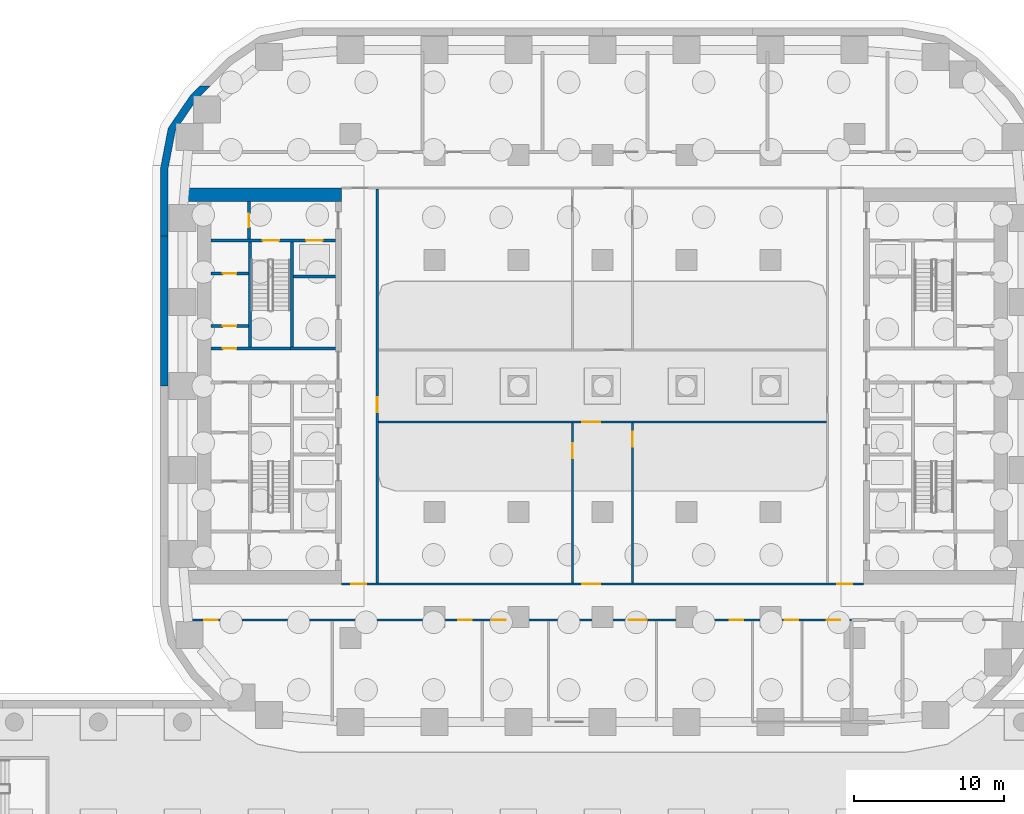
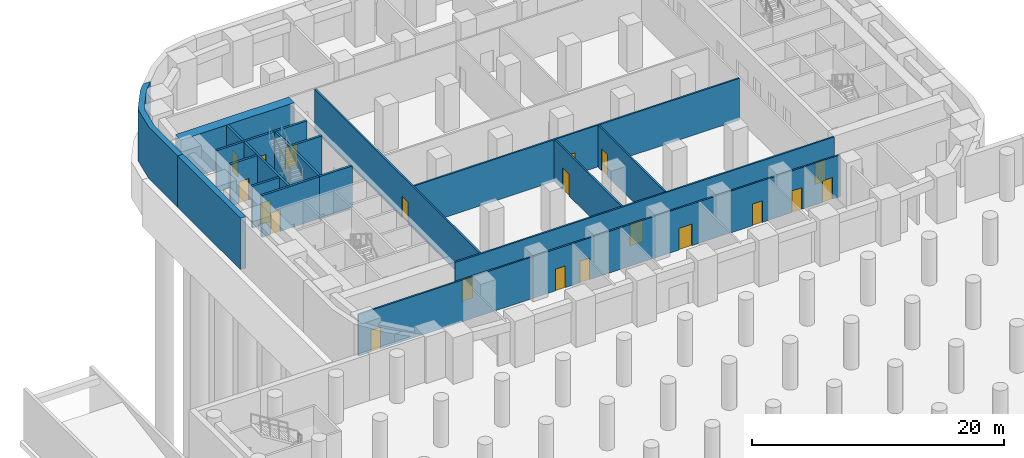
# One storey, part 11 of 23: 20 doors, 18 walls, 20 openings.
"""IFC4 building model written with IfcOpenShell, lengths in metres."""

from ifc_helpers import new_model, si_unit, direction, frame, frame_2d, origin, place, context, subcontext, project, spatial, polyline, rectangle, outline, extrude, material, layer, layer_set, type_object, element, fill, save


model = new_model("IFC4")

# Units and contexts
model_context = context("Model", 3, precision=1e-05, world=origin(), true_north=direction((0.0, 1.0)))
body_context = subcontext(model_context, "Body", "Model", "MODEL_VIEW")
ifc_project = project(units=[si_unit("LENGTHUNIT", "METRE"), si_unit("AREAUNIT", "SQUARE_METRE"), si_unit("VOLUMEUNIT", "CUBIC_METRE"), si_unit("PLANEANGLEUNIT", "RADIAN"), si_unit("MASSUNIT", "GRAM", prefix="KILO")], contexts=[model_context])

# Site, building, storey
site_placement = place(None, origin())
site = spatial("IfcSite", under=ifc_project, at=site_placement, CompositionType="ELEMENT")
building_placement = place(site_placement, origin())
building = spatial("IfcBuilding", under=site, at=building_placement, Name="Kiln Ring Residences", CompositionType="ELEMENT")
storey_placement = place(building_placement, frame((0.0, 0.0, -4.5)))
storey = spatial("IfcBuildingStorey", under=building, at=storey_placement, Name="B1", CompositionType="ELEMENT", Elevation=-4.5)

# Walls
ifc_material_1 = material(Name="Concrete C50/60", Category="concrete")
ifc_layer_1 = layer(ifc_material_1, 0.5)
ifc_layer_set_1 = layer_set([ifc_layer_1], Name="Basement retaining wall 500 C50/60")
wall_type_1 = type_object("IfcWallType", Name="Basement retaining wall 500 C50/60", PredefinedType="SOLIDWALL", material=ifc_layer_set_1)
placement = place(storey_placement, frame((0.0, 0.0, -0.5)))
element("IfcWall", 1, at=placement, inside=storey, type_object=wall_type_1, Name="Basement retaining wall B1 14", PredefinedType="SOLIDWALL", context=body_context, shape_type="SweptSolid", body=[
    extrude(outline(polyline([(-29.449951171875, 0.0), (-28.949951171875, 0.0), (-28.949951171875, 10.0), (-29.449951171875, 10.0), (-29.449951171875, 0.0)])), origin(), (0.0, 0.0, 1.0), 5.0),
])
element("IfcWall", 2, at=placement, inside=storey, type_object=wall_type_1, Name="Basement retaining wall B1 15", PredefinedType="SOLIDWALL", context=body_context, shape_type="SweptSolid", body=[
    extrude(outline(polyline([(-29.449951171875, 10.0), (-28.949951171875, 10.0), (-28.949951171875, 14.48974609375), (-28.47216796875, 16.99560546875), (-27.0380859375, 19.105224609375), (-26.1435546875, 20.0), (-26.8505859375, 20.0), (-27.425048828125, 19.425537109375), (-28.94384765625, 17.19091796875), (-29.449951171875, 14.537109375), (-29.449951171875, 10.0)])), origin(), (0.0, 0.0, 1.0), 5.0),
])

# Wall, opening, door
ifc_material_2 = material(Name="Gypsum board on steel studs", Category="steel")
ifc_layer_2 = layer(ifc_material_2, 0.199951171875)
ifc_layer_set_2 = layer_set([ifc_layer_2], Name="CORE-PARTITION-200")
wall_type_2 = type_object("IfcWallType", Name="CORE-PARTITION-200", PredefinedType="PARTITIONING", material=ifc_layer_set_2)
wall_3_placement = place(storey_placement, frame((-23.550048828125, 9.800048828125, 0.0), z_axis=(0.0, 0.0, 1.0), x_axis=(0.0, 1.0, 0.0)))
wall_3 = element("IfcWall", 3, at=wall_3_placement, inside=storey, type_object=wall_type_2, Name="Core partition west B1 3", PredefinedType="PARTITIONING", context=body_context, shape_type="SweptSolid", body=[
    extrude(rectangle(XDim=2.5, YDim=0.199951171875, at=frame_2d((1.25, 0.0))), origin(), (0.0, 0.0, 1.0), 4.050048828125),
])
opening_1_placement = place(wall_3_placement, frame((0.800048828125, 0.0, 0.0)))
opening_1 = element("IfcOpeningElement", 4, at=opening_1_placement, cuts=wall_3, Name="Opening B1-CW09", PredefinedType="OPENING", context=body_context, shape_type="SweptSolid", body=[
    extrude(rectangle(XDim=0.89990234375, YDim=2.10009765625, at=frame_2d((0.449951171875, 1.050048828125))), frame((0.0, 0.10986328125, 0.0), z_axis=(0.0, -1.0, 0.0), x_axis=(1.0, 0.0, 0.0)), (0.0, 0.0, 1.0), 0.219970703125),
])
ifc_material_3 = material(Name="Steel door leaf", Category="steel")
door_type_1 = type_object("IfcDoorType", Name="CORE-DOOR-ROOM", OperationType="SINGLE_SWING_LEFT", PredefinedType="DOOR", material=ifc_material_3)
door_1_placement = place(opening_1_placement, origin())
door_1 = element("IfcDoor", 5, at=door_1_placement, inside=storey, type_object=door_type_1, Name="Fire riser room B1-CW09", OperationType="SINGLE_SWING_LEFT", OverallHeight=2.10009765625, OverallWidth=0.89990234375, PredefinedType="DOOR", context=body_context, shape_type="SweptSolid", body=[
    extrude(rectangle(XDim=0.89990234375, YDim=2.10009765625, at=frame_2d((0.449951171875, 1.050048828125))), frame((0.0, 0.02490234375, 0.0), z_axis=(0.0, -1.0, 0.0), x_axis=(1.0, 0.0, 0.0)), (0.0, 0.0, 1.0), 0.050048828125),
])
fill(opening_1, door_1)

wall_4_placement = place(storey_placement, frame((-23.60009765625, 4.0, 0.0), z_axis=(0.0, 0.0, 1.0), x_axis=(-1.0, 0.0, 0.0)))
wall_4 = element("IfcWall", 6, at=wall_4_placement, inside=storey, type_object=wall_type_2, Name="Core partition west B1 7", PredefinedType="PARTITIONING", context=body_context, shape_type="SweptSolid", body=[
    extrude(rectangle(XDim=2.5, YDim=0.199951171875, at=frame_2d((1.25, 0.0))), origin(), (0.0, 0.0, 1.0), 4.050048828125),
])
opening_2_placement = place(wall_4_placement, frame((0.800048828125, 0.0, 0.0)))
opening_2 = element("IfcOpeningElement", 7, at=opening_2_placement, cuts=wall_4, Name="Opening B1-CW18", PredefinedType="OPENING", context=body_context, shape_type="SweptSolid", body=[
    extrude(rectangle(XDim=0.89990234375, YDim=2.10009765625, at=frame_2d((0.449951171875, 1.050048828125))), frame((0.0, 0.10986328125, 0.0), z_axis=(0.0, -1.0, 0.0), x_axis=(1.0, 0.0, 0.0)), (0.0, 0.0, 1.0), 0.219970703125),
])
door_2_placement = place(opening_2_placement, origin())
door_2 = element("IfcDoor", 8, at=door_2_placement, inside=storey, type_object=door_type_1, Name="Electrical plant room B1-CW18", OperationType="SINGLE_SWING_LEFT", OverallHeight=2.10009765625, OverallWidth=0.89990234375, PredefinedType="DOOR", context=body_context, shape_type="SweptSolid", body=[
    extrude(rectangle(XDim=0.89990234375, YDim=2.10009765625, at=frame_2d((0.449951171875, 1.050048828125))), frame((0.0, 0.02490234375, 0.0), z_axis=(0.0, -1.0, 0.0), x_axis=(1.0, 0.0, 0.0)), (0.0, 0.0, 1.0), 0.050048828125),
])
fill(opening_2, door_2)

wall_5_placement = place(storey_placement, frame((-23.60009765625, 7.5, 0.0), z_axis=(0.0, 0.0, 1.0), x_axis=(-1.0, 0.0, 0.0)))
wall_5 = element("IfcWall", 9, at=wall_5_placement, inside=storey, type_object=wall_type_2, Name="Core partition west B1 8", PredefinedType="PARTITIONING", context=body_context, shape_type="SweptSolid", body=[
    extrude(rectangle(XDim=2.5, YDim=0.199951171875, at=frame_2d((1.25, 0.0))), origin(), (0.0, 0.0, 1.0), 4.050048828125),
])
opening_3_placement = place(wall_5_placement, frame((0.800048828125, 0.0, 0.0)))
opening_3 = element("IfcOpeningElement", 10, at=opening_3_placement, cuts=wall_5, Name="Opening B1-CW19", PredefinedType="OPENING", context=body_context, shape_type="SweptSolid", body=[
    extrude(rectangle(XDim=0.89990234375, YDim=2.10009765625, at=frame_2d((0.449951171875, 1.050048828125))), frame((0.0, 0.10986328125, 0.0), z_axis=(0.0, -1.0, 0.0), x_axis=(1.0, 0.0, 0.0)), (0.0, 0.0, 1.0), 0.219970703125),
])
door_3_placement = place(opening_3_placement, origin())
door_3 = element("IfcDoor", 11, at=door_3_placement, inside=storey, type_object=door_type_1, Name="UPS room B1-CW19", OperationType="SINGLE_SWING_RIGHT", OverallHeight=2.10009765625, OverallWidth=0.89990234375, PredefinedType="DOOR", context=body_context, shape_type="SweptSolid", body=[
    extrude(rectangle(XDim=0.89990234375, YDim=2.10009765625, at=frame_2d((0.449951171875, 1.050048828125))), frame((0.0, 0.02490234375, 0.0), z_axis=(0.0, -1.0, 0.0), x_axis=(1.0, 0.0, 0.0)), (0.0, 0.0, 1.0), 0.050048828125),
])
fill(opening_3, door_3)

# Walls
ifc_material_4 = material(Name="Gypsum shaft wall system")
ifc_layer_3 = layer(ifc_material_4, 0.199951171875)
ifc_layer_set_3 = layer_set([ifc_layer_3], Name="CORE-SHAFT-WALL-200")
wall_type_3 = type_object("IfcWallType", Name="CORE-SHAFT-WALL-200", PredefinedType="PARTITIONING", material=ifc_layer_set_3)
wall_6_placement = place(storey_placement, frame((-17.800048828125, 2.5, 0.0), z_axis=(0.0, 0.0, 1.0), x_axis=(-1.0, 0.0, 0.0)))
element("IfcWall", 12, at=wall_6_placement, inside=storey, type_object=wall_type_3, Name="Core partition west B1 13", PredefinedType="PARTITIONING", context=body_context, shape_type="SweptSolid", body=[
    extrude(rectangle(XDim=3.0, YDim=0.199951171875, at=frame_2d((1.5, 0.0))), origin(), (0.0, 0.0, 1.0), 4.050048828125),
])
wall_7_placement = place(storey_placement, frame((-17.800048828125, 7.300048828125, 0.0), z_axis=(0.0, 0.0, 1.0), x_axis=(-1.0, 0.0, 0.0)))
element("IfcWall", 13, at=wall_7_placement, inside=storey, type_object=wall_type_3, Name="Core partition west B1 14", PredefinedType="PARTITIONING", context=body_context, shape_type="SweptSolid", body=[
    extrude(rectangle(XDim=2.800048828125, YDim=0.199951171875, at=frame_2d((1.39990234375, 0.0))), origin(), (0.0, 0.0, 1.0), 4.050048828125),
])
ifc_material_5 = material(Name="Concrete C40/50", Category="concrete")
ifc_layer_4 = layer(ifc_material_5, 0.199951171875)
ifc_layer_set_4 = layer_set([ifc_layer_4], Name="CORE-WALL-RC200")
wall_type_4 = type_object("IfcWallType", Name="CORE-WALL-RC200", PredefinedType="SHEAR", material=ifc_layer_set_4)
wall_8_placement = place(storey_placement, frame((-20.699951171875, 2.60009765625, 0.0), z_axis=(0.0, 0.0, 1.0), x_axis=(0.0, 1.0, 0.0)))
element("IfcWall", 14, at=wall_8_placement, inside=storey, type_object=wall_type_4, Name="Core wall west B1 1", PredefinedType="SHEAR", context=body_context, shape_type="SweptSolid", body=[
    extrude(rectangle(XDim=7.0, YDim=0.199951171875, at=frame_2d((3.5, 0.0))), origin(), (0.0, 0.0, 1.0), 4.050048828125),
])

# Wall, opening, door
wall_9_placement = place(storey_placement, frame((-20.800048828125, 2.5, 0.0), z_axis=(0.0, 0.0, 1.0), x_axis=(-1.0, 0.0, 0.0)))
wall_9 = element("IfcWall", 15, at=wall_9_placement, inside=storey, type_object=wall_type_4, Name="Core wall west B1 3", PredefinedType="SHEAR", context=body_context, shape_type="SweptSolid", body=[
    extrude(rectangle(XDim=5.300048828125, YDim=0.199951171875, at=frame_2d((2.64990234375, 0.0))), origin(), (0.0, 0.0, 1.0), 4.050048828125),
])
opening_4_placement = place(wall_9_placement, frame((3.60009765625, 0.0, 0.0)))
opening_4 = element("IfcOpeningElement", 16, at=opening_4_placement, cuts=wall_9, Name="Opening B1-CW20", PredefinedType="OPENING", context=body_context, shape_type="SweptSolid", body=[
    extrude(rectangle(XDim=0.89990234375, YDim=2.10009765625, at=frame_2d((0.449951171875, 1.050048828125))), frame((0.0, 0.10986328125, 0.0), z_axis=(0.0, -1.0, 0.0), x_axis=(1.0, 0.0, 0.0)), (0.0, 0.0, 1.0), 0.219970703125),
])
door_4_placement = place(opening_4_placement, origin())
door_4 = element("IfcDoor", 17, at=door_4_placement, inside=storey, type_object=door_type_1, Name="Comms room B1-CW20", OperationType="SINGLE_SWING_LEFT", OverallHeight=2.10009765625, OverallWidth=0.89990234375, PredefinedType="DOOR", context=body_context, shape_type="SweptSolid", body=[
    extrude(rectangle(XDim=0.89990234375, YDim=2.10009765625, at=frame_2d((0.449951171875, 1.050048828125))), frame((0.0, 0.02490234375, 0.0), z_axis=(0.0, -1.0, 0.0), x_axis=(1.0, 0.0, 0.0)), (0.0, 0.0, 1.0), 0.050048828125),
])
fill(opening_4, door_4)

# Wall, openings, doors
wall_10_placement = place(storey_placement, frame((-17.800048828125, 9.699951171875, 0.0), z_axis=(0.0, 0.0, 1.0), x_axis=(-1.0, 0.0, 0.0)))
wall_10 = element("IfcWall", 18, at=wall_10_placement, inside=storey, type_object=wall_type_4, Name="Core wall west B1 9", PredefinedType="SHEAR", context=body_context, shape_type="SweptSolid", body=[
    extrude(rectangle(XDim=8.300048828125, YDim=0.199951171875, at=frame_2d((4.14990234375, 0.0))), origin(), (0.0, 0.0, 1.0), 4.050048828125),
])
opening_5_placement = place(wall_10_placement, frame((0.85009765625, 0.0, 0.0)))
opening_5 = element("IfcOpeningElement", 19, at=opening_5_placement, cuts=wall_10, Name="Opening B1-CW06", PredefinedType="OPENING", context=body_context, shape_type="SweptSolid", body=[
    extrude(rectangle(XDim=1.10009765625, YDim=2.10009765625, at=frame_2d((0.550048828125, 1.050048828125))), frame((0.0, 0.10986328125, 0.0), z_axis=(0.0, -1.0, 0.0), x_axis=(1.0, 0.0, 0.0)), (0.0, 0.0, 1.0), 0.219970703125),
])
opening_6_placement = place(wall_10_placement, frame((3.75, 0.0, 0.0)))
opening_6 = element("IfcOpeningElement", 20, at=opening_6_placement, cuts=wall_10, Name="Opening B1-CW11", PredefinedType="OPENING", context=body_context, shape_type="SweptSolid", body=[
    extrude(rectangle(XDim=1.10009765625, YDim=2.10009765625, at=frame_2d((0.550048828125, 1.050048828125))), frame((0.0, 0.10986328125, 0.0), z_axis=(0.0, -1.0, 0.0), x_axis=(1.0, 0.0, 0.0)), (0.0, 0.0, 1.0), 0.219970703125),
])
ifc_material_6 = material(Name="Steel door leaf", Category="steel")
door_type_2 = type_object("IfcDoorType", Name="CORE-DOOR-LD", OperationType="DOUBLE_DOOR_SLIDING", PredefinedType="DOOR", material=ifc_material_6)
door_5_placement = place(opening_5_placement, origin())
door_5 = element("IfcDoor", 21, at=door_5_placement, inside=storey, type_object=door_type_2, Name="LD W-FF B1-CW06", OperationType="DOUBLE_DOOR_SLIDING", OverallHeight=2.10009765625, OverallWidth=1.10009765625, PredefinedType="DOOR", context=body_context, shape_type="SweptSolid", body=[
    extrude(rectangle(XDim=1.10009765625, YDim=2.10009765625, at=frame_2d((0.550048828125, 1.050048828125))), frame((0.0, 0.02490234375, 0.0), z_axis=(0.0, -1.0, 0.0), x_axis=(1.0, 0.0, 0.0)), (0.0, 0.0, 1.0), 0.050048828125),
])
fill(opening_5, door_5)
ifc_material_7 = material(Name="Steel door leaf", Category="steel")
door_type_3 = type_object("IfcDoorType", Name="CORE-DOOR-STAIR", OperationType="SINGLE_SWING_LEFT", PredefinedType="DOOR", material=ifc_material_7)
door_6_placement = place(opening_6_placement, origin())
door_6 = element("IfcDoor", 22, at=door_6_placement, inside=storey, type_object=door_type_3, Name="Stair W-STN B1-CW11", OperationType="SINGLE_SWING_LEFT", OverallHeight=2.10009765625, OverallWidth=1.10009765625, PredefinedType="DOOR", context=body_context, shape_type="SweptSolid", body=[
    extrude(rectangle(XDim=1.10009765625, YDim=2.10009765625, at=frame_2d((0.550048828125, 1.050048828125))), frame((0.0, 0.02490234375, 0.0), z_axis=(0.0, -1.0, 0.0), x_axis=(1.0, 0.0, 0.0)), (0.0, 0.0, 1.0), 0.050048828125),
])
fill(opening_6, door_6)

# Walls
wall_11_placement = place(storey_placement, frame((-23.5, 2.60009765625, 0.0), z_axis=(0.0, 0.0, 1.0), x_axis=(0.0, 1.0, 0.0)))
element("IfcWall", 23, at=wall_11_placement, inside=storey, type_object=wall_type_4, Name="Core wall west B1 10", PredefinedType="SHEAR", context=body_context, shape_type="SweptSolid", body=[
    extrude(rectangle(XDim=7.0, YDim=0.199951171875, at=frame_2d((3.5, 0.0))), origin(), (0.0, 0.0, 1.0), 4.050048828125),
])
ifc_material_8 = material(Name="Concrete C60/75", Category="concrete")
ifc_layer_5 = layer(ifc_material_8, 0.89990234375)
ifc_layer_set_5 = layer_set([ifc_layer_5], Name="CORE-WALL-RC900")
wall_type_5 = type_object("IfcWallType", Name="CORE-WALL-RC900", PredefinedType="SHEAR", material=ifc_layer_set_5)
wall_12_placement = place(storey_placement, frame((-17.39990234375, 12.75, 0.0), z_axis=(0.0, 0.0, 1.0), x_axis=(-1.0, 0.0, 0.0)))
element("IfcWall", 24, at=wall_12_placement, inside=storey, type_object=wall_type_5, Name="Core wall west B1 4", PredefinedType="SHEAR", context=body_context, shape_type="SweptSolid", body=[
    extrude(rectangle(XDim=10.400146484375, YDim=0.89990234375, at=frame_2d((5.2001953125, 0.0))), origin(), (0.0, 0.0, 1.0), 4.050048828125),
])

# Wall, openings, doors
ifc_material_9 = material(Name="Brick masonry partition", Category="masonry")
ifc_layer_6 = layer(ifc_material_9, 0.14990234375)
ifc_layer_set_6 = layer_set([ifc_layer_6], Name="PARTITION-150-ei60")
wall_type_6 = type_object("IfcWallType", Name="PARTITION-150-ei60", PredefinedType="PARTITIONING", material=ifc_layer_set_6)
wall_13_placement = place(storey_placement, frame((-27.669921875, -15.60009765625, 0.0), z_axis=(0.0, 0.0, 1.0), x_axis=(1.0, 0.0, 0.0)))
wall_13 = element("IfcWall", 25, at=wall_13_placement, inside=storey, type_object=wall_type_6, Name="Partition 007", PredefinedType="PARTITIONING", context=body_context, shape_type="SweptSolid", body=[
    extrude(rectangle(XDim=44.27001953125, YDim=0.14990234375, at=frame_2d((22.135009765625, 0.0))), origin(), (0.0, 0.0, 1.0), 4.050048828125),
])
opening_7_placement = place(wall_13_placement, frame((29.419921875, 0.0, 0.0)))
opening_7 = element("IfcOpeningElement", 26, at=opening_7_placement, cuts=wall_13, Name="Opening B1-D009", PredefinedType="OPENING", context=body_context, shape_type="SweptSolid", body=[
    extrude(rectangle(XDim=1.199951171875, YDim=2.10009765625, at=frame_2d((0.60009765625, 1.050048828125))), frame((0.0, 0.0849609375, 0.0), z_axis=(0.0, -1.0, 0.0), x_axis=(1.0, 0.0, 0.0)), (0.0, 0.0, 1.0), 0.169921875),
])
opening_8_placement = place(wall_13_placement, frame((1.14111328125, 0.0, 0.0)))
opening_8 = element("IfcOpeningElement", 27, at=opening_8_placement, cuts=wall_13, Name="Opening B1-D023", PredefinedType="OPENING", context=body_context, shape_type="SweptSolid", body=[
    extrude(rectangle(XDim=0.89990234375, YDim=2.10009765625, at=frame_2d((0.449951171875, 1.050048828125))), frame((0.0, 0.0849609375, 0.0), z_axis=(0.0, -1.0, 0.0), x_axis=(1.0, 0.0, 0.0)), (0.0, 0.0, 1.0), 0.169921875),
])
opening_9_placement = place(wall_13_placement, frame((18.070068359375, 0.0, 0.0)))
opening_9 = element("IfcOpeningElement", 28, at=opening_9_placement, cuts=wall_13, Name="Opening B1-D024", PredefinedType="OPENING", context=body_context, shape_type="SweptSolid", body=[
    extrude(rectangle(XDim=0.89990234375, YDim=2.10009765625, at=frame_2d((0.449951171875, 1.050048828125))), frame((0.0, 0.0849609375, 0.0), z_axis=(0.0, -1.0, 0.0), x_axis=(1.0, 0.0, 0.0)), (0.0, 0.0, 1.0), 0.169921875),
])
opening_10_placement = place(wall_13_placement, frame((20.320068359375, 0.0, 0.0)))
opening_10 = element("IfcOpeningElement", 29, at=opening_10_placement, cuts=wall_13, Name="Opening B1-D025", PredefinedType="OPENING", context=body_context, shape_type="SweptSolid", body=[
    extrude(rectangle(XDim=0.89990234375, YDim=2.10009765625, at=frame_2d((0.449951171875, 1.050048828125))), frame((0.0, 0.0849609375, 0.0), z_axis=(0.0, -1.0, 0.0), x_axis=(1.0, 0.0, 0.0)), (0.0, 0.0, 1.0), 0.169921875),
])
opening_11_placement = place(wall_13_placement, frame((36.169921875, 0.0, 0.0)))
opening_11 = element("IfcOpeningElement", 30, at=opening_11_placement, cuts=wall_13, Name="Opening B1-D026", PredefinedType="OPENING", context=body_context, shape_type="SweptSolid", body=[
    extrude(rectangle(XDim=0.89990234375, YDim=2.10009765625, at=frame_2d((0.449951171875, 1.050048828125))), frame((0.0, 0.0849609375, 0.0), z_axis=(0.0, -1.0, 0.0), x_axis=(1.0, 0.0, 0.0)), (0.0, 0.0, 1.0), 0.169921875),
])
opening_12_placement = place(wall_13_placement, frame((39.820068359375, 0.0, 0.0)))
opening_12 = element("IfcOpeningElement", 31, at=opening_12_placement, cuts=wall_13, Name="Opening B1-D027", PredefinedType="OPENING", context=body_context, shape_type="SweptSolid", body=[
    extrude(rectangle(XDim=0.89990234375, YDim=2.10009765625, at=frame_2d((0.449951171875, 1.050048828125))), frame((0.0, 0.0849609375, 0.0), z_axis=(0.0, -1.0, 0.0), x_axis=(1.0, 0.0, 0.0)), (0.0, 0.0, 1.0), 0.169921875),
])
opening_13_placement = place(wall_13_placement, frame((42.6201171875, 0.0, 0.0)))
opening_13 = element("IfcOpeningElement", 32, at=opening_13_placement, cuts=wall_13, Name="Opening B1-D028", PredefinedType="OPENING", context=body_context, shape_type="SweptSolid", body=[
    extrude(rectangle(XDim=0.89990234375, YDim=2.10009765625, at=frame_2d((0.449951171875, 1.050048828125))), frame((0.0, 0.0849609375, 0.0), z_axis=(0.0, -1.0, 0.0), x_axis=(1.0, 0.0, 0.0)), (0.0, 0.0, 1.0), 0.169921875),
])
ifc_material_10 = material(Name="Steel faced fire door leaf", Category="steel")
door_type_4 = type_object("IfcDoorType", Name="FLAT-DOOR-1200-FR", OperationType="SINGLE_SWING_LEFT", PredefinedType="DOOR", material=ifc_material_10)
door_7_placement = place(opening_7_placement, origin())
door_7 = element("IfcDoor", 33, at=door_7_placement, inside=storey, type_object=door_type_4, Name="Door B1-D009", OperationType="SINGLE_SWING_LEFT", OverallHeight=2.10009765625, OverallWidth=1.199951171875, PredefinedType="DOOR", context=body_context, shape_type="SweptSolid", body=[
    extrude(rectangle(XDim=1.199951171875, YDim=2.10009765625, at=frame_2d((0.60009765625, 1.050048828125))), frame((0.0, 0.02490234375, 0.0), z_axis=(0.0, -1.0, 0.0), x_axis=(1.0, 0.0, 0.0)), (0.0, 0.0, 1.0), 0.050048828125),
])
fill(opening_7, door_7)
ifc_material_11 = material(Name="Steel faced fire door leaf", Category="steel")
door_type_5 = type_object("IfcDoorType", Name="FLAT-DOOR-900-FR", OperationType="SINGLE_SWING_LEFT", PredefinedType="DOOR", material=ifc_material_11)
door_8_placement = place(opening_8_placement, origin())
door_8 = element("IfcDoor", 34, at=door_8_placement, inside=storey, type_object=door_type_5, Name="Door B1-D023", OperationType="SINGLE_SWING_LEFT", OverallHeight=2.10009765625, OverallWidth=0.89990234375, PredefinedType="DOOR", context=body_context, shape_type="SweptSolid", body=[
    extrude(rectangle(XDim=0.89990234375, YDim=2.10009765625, at=frame_2d((0.449951171875, 1.050048828125))), frame((0.0, 0.02490234375, 0.0), z_axis=(0.0, -1.0, 0.0), x_axis=(1.0, 0.0, 0.0)), (0.0, 0.0, 1.0), 0.050048828125),
])
fill(opening_8, door_8)
door_9_placement = place(opening_9_placement, origin())
door_9 = element("IfcDoor", 35, at=door_9_placement, inside=storey, type_object=door_type_5, Name="Door B1-D024", OperationType="SINGLE_SWING_RIGHT", OverallHeight=2.10009765625, OverallWidth=0.89990234375, PredefinedType="DOOR", context=body_context, shape_type="SweptSolid", body=[
    extrude(rectangle(XDim=0.89990234375, YDim=2.10009765625, at=frame_2d((0.449951171875, 1.050048828125))), frame((0.0, 0.02490234375, 0.0), z_axis=(0.0, -1.0, 0.0), x_axis=(1.0, 0.0, 0.0)), (0.0, 0.0, 1.0), 0.050048828125),
])
fill(opening_9, door_9)
door_10_placement = place(opening_10_placement, origin())
door_10 = element("IfcDoor", 36, at=door_10_placement, inside=storey, type_object=door_type_5, Name="Door B1-D025", OperationType="SINGLE_SWING_LEFT", OverallHeight=2.10009765625, OverallWidth=0.89990234375, PredefinedType="DOOR", context=body_context, shape_type="SweptSolid", body=[
    extrude(rectangle(XDim=0.89990234375, YDim=2.10009765625, at=frame_2d((0.449951171875, 1.050048828125))), frame((0.0, 0.02490234375, 0.0), z_axis=(0.0, -1.0, 0.0), x_axis=(1.0, 0.0, 0.0)), (0.0, 0.0, 1.0), 0.050048828125),
])
fill(opening_10, door_10)
door_11_placement = place(opening_11_placement, origin())
door_11 = element("IfcDoor", 37, at=door_11_placement, inside=storey, type_object=door_type_5, Name="Door B1-D026", OperationType="SINGLE_SWING_RIGHT", OverallHeight=2.10009765625, OverallWidth=0.89990234375, PredefinedType="DOOR", context=body_context, shape_type="SweptSolid", body=[
    extrude(rectangle(XDim=0.89990234375, YDim=2.10009765625, at=frame_2d((0.449951171875, 1.050048828125))), frame((0.0, 0.02490234375, 0.0), z_axis=(0.0, -1.0, 0.0), x_axis=(1.0, 0.0, 0.0)), (0.0, 0.0, 1.0), 0.050048828125),
])
fill(opening_11, door_11)
door_12_placement = place(opening_12_placement, origin())
door_12 = element("IfcDoor", 38, at=door_12_placement, inside=storey, type_object=door_type_5, Name="Door B1-D027", OperationType="SINGLE_SWING_RIGHT", OverallHeight=2.10009765625, OverallWidth=0.89990234375, PredefinedType="DOOR", context=body_context, shape_type="SweptSolid", body=[
    extrude(rectangle(XDim=0.89990234375, YDim=2.10009765625, at=frame_2d((0.449951171875, 1.050048828125))), frame((0.0, 0.02490234375, 0.0), z_axis=(0.0, -1.0, 0.0), x_axis=(1.0, 0.0, 0.0)), (0.0, 0.0, 1.0), 0.050048828125),
])
fill(opening_12, door_12)
door_13_placement = place(opening_13_placement, origin())
door_13 = element("IfcDoor", 39, at=door_13_placement, inside=storey, type_object=door_type_5, Name="Door B1-D028", OperationType="SINGLE_SWING_RIGHT", OverallHeight=2.10009765625, OverallWidth=0.89990234375, PredefinedType="DOOR", context=body_context, shape_type="SweptSolid", body=[
    extrude(rectangle(XDim=0.89990234375, YDim=2.10009765625, at=frame_2d((0.449951171875, 1.050048828125))), frame((0.0, 0.02490234375, 0.0), z_axis=(0.0, -1.0, 0.0), x_axis=(1.0, 0.0, 0.0)), (0.0, 0.0, 1.0), 0.050048828125),
])
fill(opening_13, door_13)

wall_14_placement = place(storey_placement, frame((-17.39990234375, -13.199951171875, 0.0), z_axis=(0.0, 0.0, 1.0), x_axis=(1.0, 0.0, 0.0)))
wall_14 = element("IfcWall", 40, at=wall_14_placement, inside=storey, type_object=wall_type_6, Name="Partition 009", PredefinedType="PARTITIONING", context=body_context, shape_type="SweptSolid", body=[
    extrude(rectangle(XDim=34.7998046875, YDim=0.14990234375, at=frame_2d((17.39990234375, 0.0))), origin(), (0.0, 0.0, 1.0), 4.050048828125),
])
opening_14_placement = place(wall_14_placement, frame((16.050048828125, 0.0, 0.0)))
opening_14 = element("IfcOpeningElement", 41, at=opening_14_placement, cuts=wall_14, Name="Opening B1-D008", PredefinedType="OPENING", context=body_context, shape_type="SweptSolid", body=[
    extrude(rectangle(XDim=1.199951171875, YDim=2.10009765625, at=frame_2d((0.60009765625, 1.050048828125))), frame((0.0, 0.0849609375, 0.0), z_axis=(0.0, -1.0, 0.0), x_axis=(1.0, 0.0, 0.0)), (0.0, 0.0, 1.0), 0.169921875),
])
opening_15_placement = place(wall_14_placement, frame((0.64990234375, 0.0, 0.0)))
opening_15 = element("IfcOpeningElement", 42, at=opening_15_placement, cuts=wall_14, Name="Opening B1-D010", PredefinedType="OPENING", context=body_context, shape_type="SweptSolid", body=[
    extrude(rectangle(XDim=1.0, YDim=2.10009765625, at=frame_2d((0.5, 1.050048828125))), frame((0.0, 0.0849609375, 0.0), z_axis=(0.0, -1.0, 0.0), x_axis=(1.0, 0.0, 0.0)), (0.0, 0.0, 1.0), 0.169921875),
])
opening_16_placement = place(wall_14_placement, frame((33.050048828125, 0.0, 0.0)))
opening_16 = element("IfcOpeningElement", 43, at=opening_16_placement, cuts=wall_14, Name="Opening B1-D011", PredefinedType="OPENING", context=body_context, shape_type="SweptSolid", body=[
    extrude(rectangle(XDim=1.0, YDim=2.10009765625, at=frame_2d((0.5, 1.050048828125))), frame((0.0, 0.0849609375, 0.0), z_axis=(0.0, -1.0, 0.0), x_axis=(1.0, 0.0, 0.0)), (0.0, 0.0, 1.0), 0.169921875),
])
ifc_material_12 = material(Name="Steel faced fire door leaf", Category="steel")
door_type_6 = type_object("IfcDoorType", Name="FLAT-DOOR-1000-FR", OperationType="SINGLE_SWING_LEFT", PredefinedType="DOOR", material=ifc_material_12)
door_14_placement = place(opening_15_placement, origin())
door_14 = element("IfcDoor", 44, at=door_14_placement, inside=storey, type_object=door_type_6, Name="Door B1-D010", OperationType="SINGLE_SWING_LEFT", OverallHeight=2.10009765625, OverallWidth=1.0, PredefinedType="DOOR", context=body_context, shape_type="SweptSolid", body=[
    extrude(rectangle(XDim=1.0, YDim=2.10009765625, at=frame_2d((0.5, 1.050048828125))), frame((0.0, 0.02490234375, 0.0), z_axis=(0.0, -1.0, 0.0), x_axis=(1.0, 0.0, 0.0)), (0.0, 0.0, 1.0), 0.050048828125),
])
fill(opening_15, door_14)
door_15_placement = place(opening_16_placement, origin())
door_15 = element("IfcDoor", 45, at=door_15_placement, inside=storey, type_object=door_type_6, Name="Door B1-D011", OperationType="SINGLE_SWING_RIGHT", OverallHeight=2.10009765625, OverallWidth=1.0, PredefinedType="DOOR", context=body_context, shape_type="SweptSolid", body=[
    extrude(rectangle(XDim=1.0, YDim=2.10009765625, at=frame_2d((0.5, 1.050048828125))), frame((0.0, 0.02490234375, 0.0), z_axis=(0.0, -1.0, 0.0), x_axis=(1.0, 0.0, 0.0)), (0.0, 0.0, 1.0), 0.050048828125),
])
fill(opening_16, door_15)
door_16_placement = place(opening_14_placement, origin())
door_16 = element("IfcDoor", 46, at=door_16_placement, inside=storey, type_object=door_type_4, Name="Door B1-D008", OperationType="SINGLE_SWING_RIGHT", OverallHeight=2.10009765625, OverallWidth=1.199951171875, PredefinedType="DOOR", context=body_context, shape_type="SweptSolid", body=[
    extrude(rectangle(XDim=1.199951171875, YDim=2.10009765625, at=frame_2d((0.60009765625, 1.050048828125))), frame((0.0, 0.02490234375, 0.0), z_axis=(0.0, -1.0, 0.0), x_axis=(1.0, 0.0, 0.0)), (0.0, 0.0, 1.0), 0.050048828125),
])
fill(opening_14, door_16)

# Wall, opening, door
wall_15_placement = place(storey_placement, frame((-14.925048828125, -2.39990234375, 0.0), z_axis=(0.0, 0.0, 1.0), x_axis=(1.0, 0.0, 0.0)))
wall_15 = element("IfcWall", 47, at=wall_15_placement, inside=storey, type_object=wall_type_6, Name="Partition 010", PredefinedType="PARTITIONING", context=body_context, shape_type="SweptSolid", body=[
    extrude(rectangle(XDim=29.85009765625, YDim=0.14990234375, at=frame_2d((14.925048828125, 0.0))), origin(), (0.0, 0.0, 1.0), 4.050048828125),
])
opening_17_placement = place(wall_15_placement, frame((13.574951171875, 0.0, 0.0)))
opening_17 = element("IfcOpeningElement", 48, at=opening_17_placement, cuts=wall_15, Name="Opening B1-D007", PredefinedType="OPENING", context=body_context, shape_type="SweptSolid", body=[
    extrude(rectangle(XDim=1.199951171875, YDim=2.10009765625, at=frame_2d((0.60009765625, 1.050048828125))), frame((0.0, 0.0849609375, 0.0), z_axis=(0.0, -1.0, 0.0), x_axis=(1.0, 0.0, 0.0)), (0.0, 0.0, 1.0), 0.169921875),
])
door_17_placement = place(opening_17_placement, origin())
door_17 = element("IfcDoor", 49, at=door_17_placement, inside=storey, type_object=door_type_4, Name="Door B1-D007", OperationType="SINGLE_SWING_LEFT", OverallHeight=2.10009765625, OverallWidth=1.199951171875, PredefinedType="DOOR", context=body_context, shape_type="SweptSolid", body=[
    extrude(rectangle(XDim=1.199951171875, YDim=2.10009765625, at=frame_2d((0.60009765625, 1.050048828125))), frame((0.0, 0.02490234375, 0.0), z_axis=(0.0, -1.0, 0.0), x_axis=(1.0, 0.0, 0.0)), (0.0, 0.0, 1.0), 0.050048828125),
])
fill(opening_17, door_17)

wall_16_placement = place(storey_placement, frame((-15.0, -13.125, 0.0), z_axis=(0.0, 0.0, 1.0), x_axis=(0.0, 1.0, 0.0)))
wall_16 = element("IfcWall", 50, at=wall_16_placement, inside=storey, type_object=wall_type_6, Name="Partition 016", PredefinedType="PARTITIONING", context=body_context, shape_type="SweptSolid", body=[
    extrude(rectangle(XDim=26.25, YDim=0.14990234375, at=frame_2d((13.125, 0.0))), origin(), (0.0, 0.0, 1.0), 4.050048828125),
])
opening_18_placement = place(wall_16_placement, frame((11.375, 0.0, 0.0)))
opening_18 = element("IfcOpeningElement", 51, at=opening_18_placement, cuts=wall_16, Name="Opening B1-D001", PredefinedType="OPENING", context=body_context, shape_type="SweptSolid", body=[
    extrude(rectangle(XDim=1.0, YDim=2.10009765625, at=frame_2d((0.5, 1.050048828125))), frame((0.0, 0.0849609375, 0.0), z_axis=(0.0, -1.0, 0.0), x_axis=(1.0, 0.0, 0.0)), (0.0, 0.0, 1.0), 0.169921875),
])
door_18_placement = place(opening_18_placement, origin())
door_18 = element("IfcDoor", 52, at=door_18_placement, inside=storey, type_object=door_type_6, Name="Door B1-D001", OperationType="SINGLE_SWING_RIGHT", OverallHeight=2.10009765625, OverallWidth=1.0, PredefinedType="DOOR", context=body_context, shape_type="SweptSolid", body=[
    extrude(rectangle(XDim=1.0, YDim=2.10009765625, at=frame_2d((0.5, 1.050048828125))), frame((0.0, 0.02490234375, 0.0), z_axis=(0.0, -1.0, 0.0), x_axis=(1.0, 0.0, 0.0)), (0.0, 0.0, 1.0), 0.050048828125),
])
fill(opening_18, door_18)

wall_17_placement = place(storey_placement, frame((-2.0, -13.125, 0.0), z_axis=(0.0, 0.0, 1.0), x_axis=(0.0, 1.0, 0.0)))
wall_17 = element("IfcWall", 53, at=wall_17_placement, inside=storey, type_object=wall_type_6, Name="Partition 021", PredefinedType="PARTITIONING", context=body_context, shape_type="SweptSolid", body=[
    extrude(rectangle(XDim=10.64990234375, YDim=0.14990234375, at=frame_2d((5.324951171875, 0.0))), origin(), (0.0, 0.0, 1.0), 4.050048828125),
])
opening_19_placement = place(wall_17_placement, frame((8.324951171875, 0.0, 0.0)))
opening_19 = element("IfcOpeningElement", 54, at=opening_19_placement, cuts=wall_17, Name="Opening B1-D021", PredefinedType="OPENING", context=body_context, shape_type="SweptSolid", body=[
    extrude(rectangle(XDim=1.0, YDim=2.10009765625, at=frame_2d((0.5, 1.050048828125))), frame((0.0, 0.0849609375, 0.0), z_axis=(0.0, -1.0, 0.0), x_axis=(1.0, 0.0, 0.0)), (0.0, 0.0, 1.0), 0.169921875),
])
door_19_placement = place(opening_19_placement, origin())
door_19 = element("IfcDoor", 55, at=door_19_placement, inside=storey, type_object=door_type_6, Name="Door B1-D021", OperationType="SINGLE_SWING_LEFT", OverallHeight=2.10009765625, OverallWidth=1.0, PredefinedType="DOOR", context=body_context, shape_type="SweptSolid", body=[
    extrude(rectangle(XDim=1.0, YDim=2.10009765625, at=frame_2d((0.5, 1.050048828125))), frame((0.0, 0.02490234375, 0.0), z_axis=(0.0, -1.0, 0.0), x_axis=(1.0, 0.0, 0.0)), (0.0, 0.0, 1.0), 0.050048828125),
])
fill(opening_19, door_19)

wall_18_placement = place(storey_placement, frame((2.0, -13.125, 0.0), z_axis=(0.0, 0.0, 1.0), x_axis=(0.0, 1.0, 0.0)))
wall_18 = element("IfcWall", 56, at=wall_18_placement, inside=storey, type_object=wall_type_6, Name="Partition 023", PredefinedType="PARTITIONING", context=body_context, shape_type="SweptSolid", body=[
    extrude(rectangle(XDim=10.64990234375, YDim=0.14990234375, at=frame_2d((5.324951171875, 0.0))), origin(), (0.0, 0.0, 1.0), 4.050048828125),
])
opening_20_placement = place(wall_18_placement, frame((9.074951171875, 0.0, 0.0)))
opening_20 = element("IfcOpeningElement", 57, at=opening_20_placement, cuts=wall_18, Name="Opening B1-D022", PredefinedType="OPENING", context=body_context, shape_type="SweptSolid", body=[
    extrude(rectangle(XDim=1.0, YDim=2.10009765625, at=frame_2d((0.5, 1.050048828125))), frame((0.0, 0.0849609375, 0.0), z_axis=(0.0, -1.0, 0.0), x_axis=(1.0, 0.0, 0.0)), (0.0, 0.0, 1.0), 0.169921875),
])
door_20_placement = place(opening_20_placement, origin())
door_20 = element("IfcDoor", 58, at=door_20_placement, inside=storey, type_object=door_type_6, Name="Door B1-D022", OperationType="SINGLE_SWING_RIGHT", OverallHeight=2.10009765625, OverallWidth=1.0, PredefinedType="DOOR", context=body_context, shape_type="SweptSolid", body=[
    extrude(rectangle(XDim=1.0, YDim=2.10009765625, at=frame_2d((0.5, 1.050048828125))), frame((0.0, 0.02490234375, 0.0), z_axis=(0.0, -1.0, 0.0), x_axis=(1.0, 0.0, 0.0)), (0.0, 0.0, 1.0), 0.050048828125),
])
fill(opening_20, door_20)

save(model, "model.ifc")
